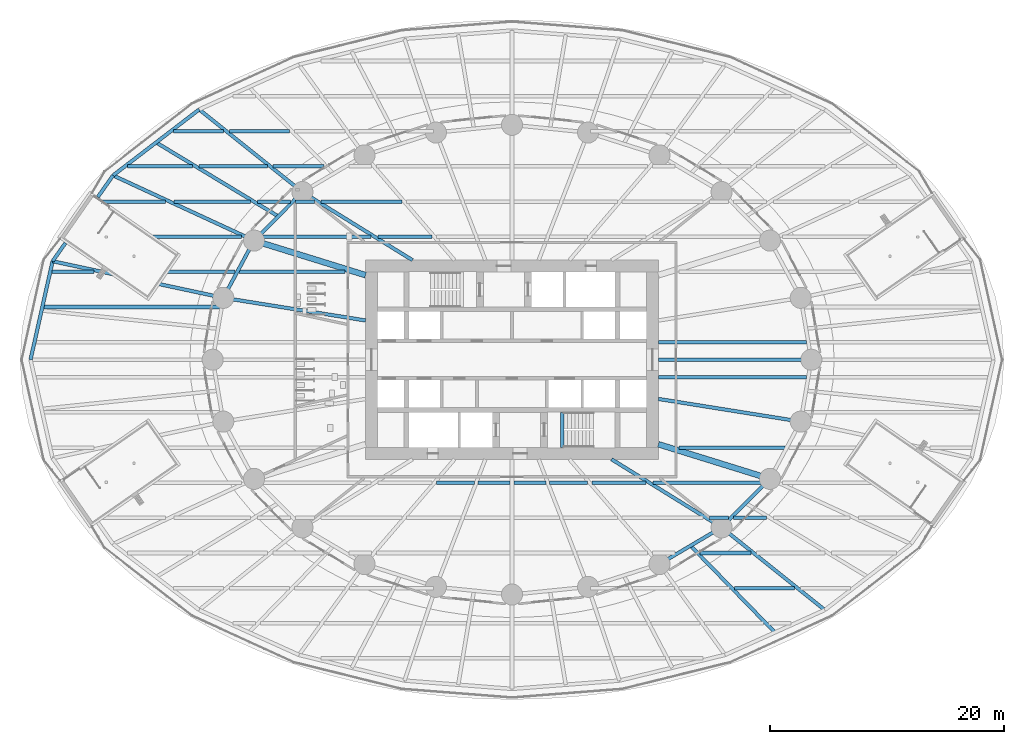
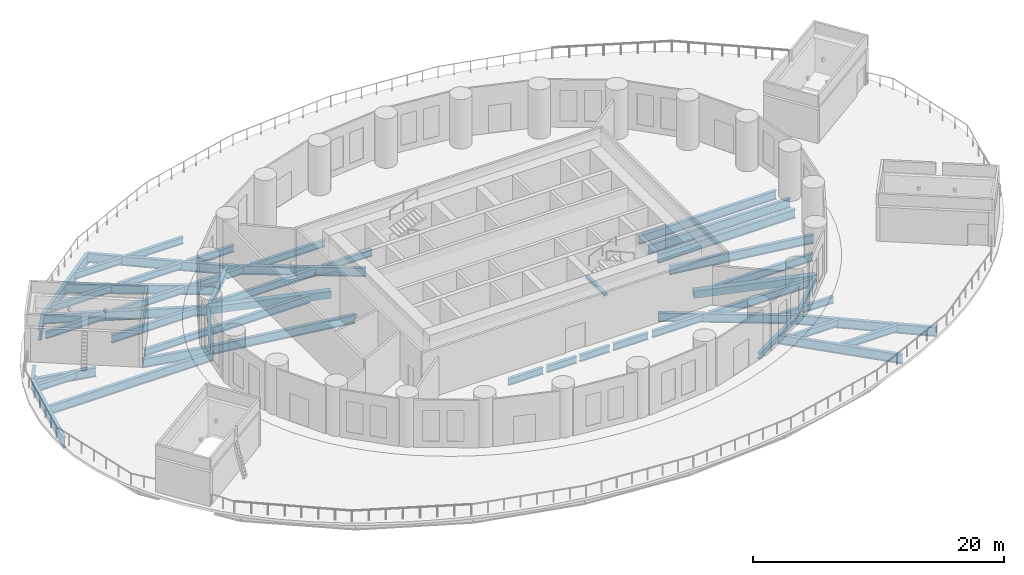
# One storey, part 3 of 17: 53 beams.
"""IFC4 building model written with IfcOpenShell, lengths in metres."""

from ifc_helpers import new_model, si_unit, direction, frame, origin, origin_2d, place, context, subcontext, project, spatial, rectangle, hollow_rectangle, i_section, extrude, material, material_profile, profile_set, type_object, element, save


model = new_model("IFC4")

# Units and contexts
model_context = context("Model", 3, precision=1e-05, world=origin(), true_north=direction((0.0, 1.0)))
body_context = subcontext(model_context, "Body", "Model", "MODEL_VIEW")
ifc_project = project(units=[si_unit("LENGTHUNIT", "METRE"), si_unit("AREAUNIT", "SQUARE_METRE"), si_unit("VOLUMEUNIT", "CUBIC_METRE"), si_unit("PLANEANGLEUNIT", "RADIAN"), si_unit("MASSUNIT", "GRAM", prefix="KILO")], contexts=[model_context])

# Site, building, storey
site_placement = place(None, origin())
site = spatial("IfcSite", under=ifc_project, at=site_placement, CompositionType="ELEMENT")
building_placement = place(site_placement, origin())
building = spatial("IfcBuilding", under=site, at=building_placement, Name="Hankou Lantern Tower", CompositionType="ELEMENT")
storey_placement = place(building_placement, frame((0.0, 0.0, 24.60009765625)))
storey = spatial("IfcBuildingStorey", under=building, at=storey_placement, Name="L04", CompositionType="ELEMENT", Elevation=24.60009765625)

# Beams
ifc_material_1 = material(Name="Steel Q355B", Category="steel")
ifc_material_profile_1 = material_profile(ifc_material_1, i_section(OverallWidth=0.300048828125, OverallDepth=0.587890625, WebThickness=0.011962890625, FlangeThickness=0.02001953125, FilletRadius=0.01806640625, at=origin_2d()), Name="HM588x300x12x20")
ifc_profile_set_1 = profile_set([ifc_material_profile_1], Name="Steel Q355B")
beam_type_1 = type_object("IfcBeamType", Name="EB16 RING BEAM HM588x300x12x20", PredefinedType="SPANDREL", material=ifc_profile_set_1)
beam_1_placement = place(storey_placement, frame((-17.891845703125, 14.3134765625, -0.544189453125), z_axis=(-0.705727798394, -0.708483079949, 0.0), x_axis=(0.708483079949, -0.705727798394, 0.0)))
element("IfcBeam", 1, at=beam_1_placement, inside=storey, type_object=beam_type_1, Name="Ring beam R10-R11 L04", PredefinedType="SPANDREL", context=body_context, shape_type="SweptSolid", body=[
    extrude(i_section(OverallWidth=0.300048828125, OverallDepth=0.587890625, WebThickness=0.011962890625, FlangeThickness=0.02001953125, FilletRadius=0.01806640625, at=origin_2d()), origin(), (0.0, 0.0, 1.0), 5.84814453125),
])
beam_2_placement = place(storey_placement, frame((-22.01904296875, 10.170166015625, -0.544189453125), z_axis=(-0.473609096023, -0.880735161194, 0.0), x_axis=(0.880735161194, -0.473609096023, 0.0)))
element("IfcBeam", 2, at=beam_2_placement, inside=storey, type_object=beam_type_1, Name="Ring beam R11-R12 L04", PredefinedType="SPANDREL", context=body_context, shape_type="SweptSolid", body=[
    extrude(i_section(OverallWidth=0.300048828125, OverallDepth=0.587890625, WebThickness=0.011962890625, FlangeThickness=0.02001953125, FilletRadius=0.01806640625, at=origin_2d()), origin(), (0.0, 0.0, 1.0), 5.548828125),
])
beam_3_placement = place(storey_placement, frame((12.5908203125, -17.446533203125, -0.544189453125), z_axis=(0.860881533543, 0.508805449268, 0.0), x_axis=(-0.508805449268, 0.860881533543, 0.0)))
element("IfcBeam", 3, at=beam_3_placement, inside=storey, type_object=beam_type_1, Name="Ring beam R21-R22 L04", PredefinedType="SPANDREL", context=body_context, shape_type="SweptSolid", body=[
    extrude(i_section(OverallWidth=0.300048828125, OverallDepth=0.587890625, WebThickness=0.011962890625, FlangeThickness=0.02001953125, FilletRadius=0.01806640625, at=origin_2d()), origin(), (0.0, 0.0, 1.0), 6.15771484375),
])
beam_4_placement = place(storey_placement, frame((17.891845703125, -14.3134765625, -0.544189453125), z_axis=(0.705727798394, 0.708483079949, 0.0), x_axis=(-0.708483079949, 0.705727798394, 0.0)))
element("IfcBeam", 4, at=beam_4_placement, inside=storey, type_object=beam_type_1, Name="Ring beam R22-R23 L04", PredefinedType="SPANDREL", context=body_context, shape_type="SweptSolid", body=[
    extrude(i_section(OverallWidth=0.300048828125, OverallDepth=0.587890625, WebThickness=0.011962890625, FlangeThickness=0.02001953125, FilletRadius=0.01806640625, at=origin_2d()), origin(), (0.0, 0.0, 1.0), 5.84814453125),
])
ifc_material_2 = material(Name="Concrete C40", Category="concrete")
ifc_material_profile_2 = material_profile(ifc_material_2, rectangle(XDim=0.300048828125, YDim=0.25, at=origin_2d()), Name="RC 300x250")
ifc_profile_set_2 = profile_set([ifc_material_profile_2], Name="Concrete C40")
beam_type_2 = type_object("IfcBeamType", Name="LB1 STAIR LANDING BEAM RC 300x250", PredefinedType="BEAM", material=ifc_profile_set_2)
beam_5_placement = place(storey_placement, frame((4.300048828125, -4.5, 2.27490234375), z_axis=(0.0, -1.0, 0.0), x_axis=(1.0, 0.0, 0.0)))
element("IfcBeam", 5, at=beam_5_placement, inside=storey, type_object=beam_type_2, Name="Stair STB landing beam L04", PredefinedType="BEAM", context=body_context, shape_type="SweptSolid", body=[
    extrude(rectangle(XDim=0.300048828125, YDim=0.25, at=origin_2d()), origin(), (0.0, 0.0, 1.0), 3.0),
])
ifc_material_3 = material(Name="Steel Q355B", Category="steel")
ifc_material_profile_3 = material_profile(ifc_material_3, i_section(OverallWidth=0.300048828125, OverallDepth=0.89990234375, WebThickness=0.01611328125, FlangeThickness=0.028076171875, FilletRadius=0.01806640625, at=origin_2d()), Name="HN900x300x16x28")
ifc_profile_set_3 = profile_set([ifc_material_profile_3], Name="Steel Q355B")
beam_type_3 = type_object("IfcBeamType", Name="PB13 PODIUM RADIAL BEAM HN900x300x16x28", PredefinedType="BEAM", material=ifc_profile_set_3)
beam_6_placement = place(storey_placement, frame((-17.891845703125, 14.3134765625, -0.7001953125), z_axis=(-0.780875142676, 0.624687130931, 0.0), x_axis=(-0.624687130931, -0.780875142676, 0.0)))
element("IfcBeam", 6, at=beam_6_placement, inside=storey, type_object=beam_type_3, Name="Podium radial beam R10 L04", PredefinedType="BEAM", context=body_context, shape_type="SweptSolid", body=[
    extrude(i_section(OverallWidth=0.300048828125, OverallDepth=0.89990234375, WebThickness=0.01611328125, FlangeThickness=0.028076171875, FilletRadius=0.01806640625, at=origin_2d()), origin(), (0.0, 0.0, 1.0), 11.28271484375),
])
beam_7_placement = place(storey_placement, frame((-22.01904296875, 10.170166015625, -0.7001953125), z_axis=(-0.907840792808, 0.419315030633, 0.0), x_axis=(-0.419315030633, -0.907840792808, 0.0)))
element("IfcBeam", 7, at=beam_7_placement, inside=storey, type_object=beam_type_3, Name="Podium radial beam R11 L04", PredefinedType="BEAM", context=body_context, shape_type="SweptSolid", body=[
    extrude(i_section(OverallWidth=0.300048828125, OverallDepth=0.89990234375, WebThickness=0.01611328125, FlangeThickness=0.028076171875, FilletRadius=0.01806640625, at=origin_2d()), origin(), (0.0, 0.0, 1.0), 13.259765625),
])
beam_8_placement = place(storey_placement, frame((-24.64697265625, 5.283203125, -0.7001953125), z_axis=(-0.977787338777, 0.209599427782, 0.0), x_axis=(-0.209599427782, -0.977787338777, 0.0)))
element("IfcBeam", 8, at=beam_8_placement, inside=storey, type_object=beam_type_3, Name="Podium radial beam R12 L04 inner part", PredefinedType="BEAM", context=body_context, shape_type="SweptSolid", body=[
    extrude(i_section(OverallWidth=0.300048828125, OverallDepth=0.89990234375, WebThickness=0.01611328125, FlangeThickness=0.028076171875, FilletRadius=0.01806640625, at=origin_2d()), origin(), (0.0, 0.0, 1.0), 5.68896484375),
])
beam_9_placement = place(storey_placement, frame((-34.01025390625, 7.29052734375, -0.7001953125), z_axis=(-0.977788323488, 0.209594834028, 0.0), x_axis=(-0.209594834028, -0.977788323488, 0.0)))
element("IfcBeam", 9, at=beam_9_placement, inside=storey, type_object=beam_type_3, Name="Podium radial beam R12 L04 outer part", PredefinedType="BEAM", context=body_context, shape_type="SweptSolid", body=[
    extrude(i_section(OverallWidth=0.300048828125, OverallDepth=0.89990234375, WebThickness=0.01611328125, FlangeThickness=0.028076171875, FilletRadius=0.01806640625, at=origin_2d()), origin(), (0.0, 0.0, 1.0), 5.32568359375),
])
beam_10_placement = place(storey_placement, frame((17.891845703125, -14.3134765625, -0.7001953125), z_axis=(0.780875142676, -0.624687130931, 0.0), x_axis=(0.624687130931, 0.780875142676, 0.0)))
element("IfcBeam", 10, at=beam_10_placement, inside=storey, type_object=beam_type_3, Name="Podium radial beam R22 L04", PredefinedType="BEAM", context=body_context, shape_type="SweptSolid", body=[
    extrude(i_section(OverallWidth=0.300048828125, OverallDepth=0.89990234375, WebThickness=0.01611328125, FlangeThickness=0.028076171875, FilletRadius=0.01806640625, at=origin_2d()), origin(), (0.0, 0.0, 1.0), 11.28271484375),
])
ifc_material_4 = material(Name="Steel Q355B", Category="steel")
ifc_material_profile_4 = material_profile(ifc_material_4, i_section(OverallWidth=0.300048828125, OverallDepth=1.0, WebThickness=0.01904296875, FlangeThickness=0.035888671875, FilletRadius=0.01806640625, at=origin_2d()), Name="HN1000x300x19x36")
ifc_profile_set_4 = profile_set([ifc_material_profile_4], Name="Steel Q355B")
beam_type_4 = type_object("IfcBeamType", Name="PR22 PODIUM RING BEAM HN1000x300x19x36", PredefinedType="BEAM", material=ifc_profile_set_4)
beam_11_placement = place(storey_placement, frame((-26.7021484375, 21.361572265625, -0.75), z_axis=(-0.793985875103, -0.607936205647, 0.0), x_axis=(0.607936205647, -0.793985875103, 0.0)))
element("IfcBeam", 11, at=beam_11_placement, inside=storey, type_object=beam_type_4, Name="Podium ring beam R10-R11 L04", PredefinedType="BEAM", context=body_context, shape_type="SweptSolid", body=[
    extrude(i_section(OverallWidth=0.300048828125, OverallDepth=1.0, WebThickness=0.01904296875, FlangeThickness=0.035888671875, FilletRadius=0.01806640625, at=origin_2d()), origin(), (0.0, 0.0, 1.0), 9.262939453125),
])
beam_12_placement = place(storey_placement, frame((-34.056884765625, 15.730224609375, -0.75), z_axis=(-0.576006222853, -0.817445307794, 0.0), x_axis=(0.817445307794, -0.576006222853, 0.0)))
element("IfcBeam", 12, at=beam_12_placement, inside=storey, type_object=beam_type_4, Name="Podium ring beam R11-R12 L04 west part", PredefinedType="BEAM", context=body_context, shape_type="SweptSolid", body=[
    extrude(i_section(OverallWidth=0.300048828125, OverallDepth=1.0, WebThickness=0.01904296875, FlangeThickness=0.035888671875, FilletRadius=0.01806640625, at=origin_2d()), origin(), (0.0, 0.0, 1.0), 2.251953125),
])
beam_13_placement = place(storey_placement, frame((-38.118896484375, 9.9658203125, -0.75), z_axis=(-0.576019631526, -0.817435859317, 0.0), x_axis=(0.817435859317, -0.576019631526, 0.0)))
element("IfcBeam", 13, at=beam_13_placement, inside=storey, type_object=beam_type_4, Name="Podium ring beam R11-R12 L04 east part", PredefinedType="BEAM", context=body_context, shape_type="SweptSolid", body=[
    extrude(i_section(OverallWidth=0.300048828125, OverallDepth=1.0, WebThickness=0.01904296875, FlangeThickness=0.035888671875, FilletRadius=0.01806640625, at=origin_2d()), origin(), (0.0, 0.0, 1.0), 1.9072265625),
])
beam_14_placement = place(storey_placement, frame((-39.217529296875, 8.40673828125, -0.75), z_axis=(-0.218523498172, -0.975831686689, 0.0), x_axis=(0.975831686689, -0.218523498172, 0.0)))
element("IfcBeam", 14, at=beam_14_placement, inside=storey, type_object=beam_type_4, Name="Podium ring beam R12-R13 L04", PredefinedType="BEAM", context=body_context, shape_type="SweptSolid", body=[
    extrude(i_section(OverallWidth=0.300048828125, OverallDepth=1.0, WebThickness=0.01904296875, FlangeThickness=0.035888671875, FilletRadius=0.01806640625, at=origin_2d()), origin(), (0.0, 0.0, 1.0), 8.614990234375),
])
ifc_material_5 = material(Name="Steel Q355B", Category="steel")
ifc_material_profile_5 = material_profile(ifc_material_5, i_section(OverallWidth=0.300048828125, OverallDepth=0.89990234375, WebThickness=0.01611328125, FlangeThickness=0.028076171875, FilletRadius=0.01806640625, at=origin_2d()), Name="HN900x300x16x28")
ifc_profile_set_5 = profile_set([ifc_material_profile_5], Name="Steel Q355B")
beam_type_5 = type_object("IfcBeamType", Name="PS13 PODIUM SECONDARY BEAM HN900x300x16x28", PredefinedType="JOIST", material=ifc_profile_set_5)
beam_15_placement = place(storey_placement, frame((-19.955322265625, 12.24169921875, -0.7001953125), z_axis=(-0.855685755165, 0.517495785884, 0.0), x_axis=(-0.517495785884, -0.855685755165, 0.0)))
element("IfcBeam", 15, at=beam_15_placement, inside=storey, type_object=beam_type_5, Name="Podium secondary beam bay R10 L04", PredefinedType="JOIST", context=body_context, shape_type="SweptSolid", body=[
    extrude(i_section(OverallWidth=0.300048828125, OverallDepth=0.89990234375, WebThickness=0.01611328125, FlangeThickness=0.028076171875, FilletRadius=0.01806640625, at=origin_2d()), origin(), (0.0, 0.0, 1.0), 12.18212890625),
])
beam_16_placement = place(storey_placement, frame((15.2412109375, -15.8798828125, -0.7001953125), z_axis=(0.697467529957, -0.716616385981, 0.0), x_axis=(0.716616385981, 0.697467529957, 0.0)))
element("IfcBeam", 16, at=beam_16_placement, inside=storey, type_object=beam_type_5, Name="Podium secondary beam bay R21 L04", PredefinedType="JOIST", context=body_context, shape_type="SweptSolid", body=[
    extrude(i_section(OverallWidth=0.300048828125, OverallDepth=0.89990234375, WebThickness=0.01611328125, FlangeThickness=0.028076171875, FilletRadius=0.01806640625, at=origin_2d()), origin(), (0.0, 0.0, 1.0), 10.3271484375),
])
ifc_material_6 = material(Name="Steel Q355B", Category="steel")
ifc_material_profile_6 = material_profile(ifc_material_6, i_section(OverallWidth=0.300048828125, OverallDepth=0.85009765625, WebThickness=0.01611328125, FlangeThickness=0.027099609375, FilletRadius=0.01806640625, at=origin_2d()), Name="HN850x300x16x27")
ifc_profile_set_6 = profile_set([ifc_material_profile_6], Name="Steel Q355B")
beam_type_6 = type_object("IfcBeamType", Name="RB12 RADIAL BEAM HN850x300x16x27", PredefinedType="BEAM", material=ifc_profile_set_6)
beam_17_placement = place(storey_placement, frame((-8.5, 8.5, -0.675048828125), z_axis=(-0.850286343288, 0.526320372414, 0.0), x_axis=(-0.526320372414, -0.850286343288, 0.0)))
element("IfcBeam", 17, at=beam_17_placement, inside=storey, type_object=beam_type_6, Name="Radial beam R10 L04", PredefinedType="BEAM", context=body_context, shape_type="SweptSolid", body=[
    extrude(i_section(OverallWidth=0.300048828125, OverallDepth=0.85009765625, WebThickness=0.01611328125, FlangeThickness=0.027099609375, FilletRadius=0.01806640625, at=origin_2d()), origin(), (0.0, 0.0, 1.0), 11.04541015625),
])
beam_18_placement = place(storey_placement, frame((-12.5, 3.349365234375, -0.675048828125), z_axis=(-0.987563081343, 0.157223281893, 0.0), x_axis=(-0.157223281893, -0.987563081343, 0.0)))
element("IfcBeam", 18, at=beam_18_placement, inside=storey, type_object=beam_type_6, Name="Radial beam R12 L04", PredefinedType="BEAM", context=body_context, shape_type="SweptSolid", body=[
    extrude(i_section(OverallWidth=0.300048828125, OverallDepth=0.85009765625, WebThickness=0.01611328125, FlangeThickness=0.027099609375, FilletRadius=0.01806640625, at=origin_2d()), origin(), (0.0, 0.0, 1.0), 12.300048828125),
])
beam_19_placement = place(storey_placement, frame((8.5, -8.5, -0.675048828125), z_axis=(0.850286343288, -0.526320372414, 0.0), x_axis=(0.526320372414, 0.850286343288, 0.0)))
element("IfcBeam", 19, at=beam_19_placement, inside=storey, type_object=beam_type_6, Name="Radial beam R22 L04", PredefinedType="BEAM", context=body_context, shape_type="SweptSolid", body=[
    extrude(i_section(OverallWidth=0.300048828125, OverallDepth=0.85009765625, WebThickness=0.01611328125, FlangeThickness=0.027099609375, FilletRadius=0.01806640625, at=origin_2d()), origin(), (0.0, 0.0, 1.0), 11.04541015625),
])
beam_20_placement = place(storey_placement, frame((12.5, -3.349365234375, -0.675048828125), z_axis=(0.987563081343, -0.157223281893, 0.0), x_axis=(0.157223281893, 0.987563081343, 0.0)))
element("IfcBeam", 20, at=beam_20_placement, inside=storey, type_object=beam_type_6, Name="Radial beam R24 L04", PredefinedType="BEAM", context=body_context, shape_type="SweptSolid", body=[
    extrude(i_section(OverallWidth=0.300048828125, OverallDepth=0.85009765625, WebThickness=0.01611328125, FlangeThickness=0.027099609375, FilletRadius=0.01806640625, at=origin_2d()), origin(), (0.0, 0.0, 1.0), 12.300048828125),
])
ifc_material_7 = material(Name="Steel Q355B", Category="steel")
ifc_material_profile_7 = material_profile(ifc_material_7, i_section(OverallWidth=0.300048828125, OverallDepth=0.89990234375, WebThickness=0.01611328125, FlangeThickness=0.028076171875, FilletRadius=0.01806640625, at=origin_2d()), Name="HN900x300x16x28")
ifc_profile_set_7 = profile_set([ifc_material_profile_7], Name="Steel Q355B")
beam_type_7 = type_object("IfcBeamType", Name="RB13 RADIAL BEAM HN900x300x16x28", PredefinedType="BEAM", material=ifc_profile_set_7)
beam_21_placement = place(storey_placement, frame((12.5, 0.0, -0.7001953125), z_axis=(1.0, 0.0, 0.0), x_axis=(0.0, 1.0, 0.0)))
element("IfcBeam", 21, at=beam_21_placement, inside=storey, type_object=beam_type_7, Name="Radial beam R01 L04", PredefinedType="BEAM", context=body_context, shape_type="SweptSolid", body=[
    extrude(i_section(OverallWidth=0.300048828125, OverallDepth=0.89990234375, WebThickness=0.01611328125, FlangeThickness=0.028076171875, FilletRadius=0.01806640625, at=origin_2d()), origin(), (0.0, 0.0, 1.0), 13.050048828125),
])
ifc_material_8 = material(Name="Steel Q355B", Category="steel")
ifc_material_profile_8 = material_profile(ifc_material_8, hollow_rectangle(XDim=0.5, YDim=0.699951171875, WallThickness=0.0400390625, at=origin_2d()), Name="BOX700x500x40")
ifc_profile_set_8 = profile_set([ifc_material_profile_8], Name="Steel Q355B")
beam_type_8 = type_object("IfcBeamType", Name="RB25 RADIAL BEAM BOX700x500x40", PredefinedType="BEAM", material=ifc_profile_set_8)
for number, where, z_axis, x_axis, name in (
    (22, (-12.5, 7.216796875, -0.60009765625), (-0.955087327755, 0.29632447817, 0.0), (-0.29632447817, -0.955087327755, 0.0), "Radial beam R11 L04"),
    (23, (12.5, -7.216796875, -0.60009765625), (0.955087327755, -0.29632447817, 0.0), (0.29632447817, 0.955087327755, 0.0), "Radial beam R23 L04"),
):
    element("IfcBeam", number, at=place(storey_placement, frame(where, z_axis=z_axis, x_axis=x_axis)), inside=storey, type_object=beam_type_8, Name=name, PredefinedType="BEAM", context=body_context, shape_type="SweptSolid", body=[
        extrude(hollow_rectangle(XDim=0.5, YDim=0.699951171875, WallThickness=0.0400390625, at=origin_2d()), origin(), (0.0, 0.0, 1.0), 9.966552734375),
    ])
ifc_material_9 = material(Name="Steel Q355B", Category="steel")
ifc_material_profile_9 = material_profile(ifc_material_9, i_section(OverallWidth=0.300048828125, OverallDepth=0.75, WebThickness=0.012939453125, FlangeThickness=0.02392578125, FilletRadius=0.01806640625, at=origin_2d()), Name="HN750x300x13x24")
ifc_profile_set_9 = profile_set([ifc_material_profile_9], Name="Steel Q355B")
beam_type_9 = type_object("IfcBeamType", Name="SB10 SECONDARY BEAM HN750x300x13x24", PredefinedType="JOIST", material=ifc_profile_set_9)
beam_22_placement = place(storey_placement, frame((12.01611328125, -10.5, -0.625), z_axis=(1.0, 0.0, 0.0), x_axis=(0.0, 1.0, 0.0)))
element("IfcBeam", 24, at=beam_22_placement, inside=storey, type_object=beam_type_9, Name="Floor joist J022 L04", PredefinedType="JOIST", context=body_context, shape_type="SweptSolid", body=[
    extrude(i_section(OverallWidth=0.300048828125, OverallDepth=0.75, WebThickness=0.012939453125, FlangeThickness=0.02392578125, FilletRadius=0.01806640625, at=origin_2d()), origin(), (0.0, 0.0, 1.0), 9.462646484375),
])
for number, where, z_axis, x_axis, name in (
    (25, (14.25634765625, -7.5, -0.625), (1.0, 0.0, 0.0), (0.0, 1.0, 0.0), "Floor joist J024 L04"),
    (26, (-23.28466796875, 7.5, -0.625), (1.0, 0.0, 0.0), (0.0, 1.0, 0.0), "Floor joist J037 L04"),
):
    element("IfcBeam", number, at=place(storey_placement, frame(where, z_axis=z_axis, x_axis=x_axis)), inside=storey, type_object=beam_type_9, Name=name, PredefinedType="JOIST", context=body_context, shape_type="SweptSolid", body=[
        extrude(i_section(OverallWidth=0.300048828125, OverallDepth=0.75, WebThickness=0.012939453125, FlangeThickness=0.02392578125, FilletRadius=0.01806640625, at=origin_2d()), origin(), (0.0, 0.0, 1.0), 9.0283203125),
    ])
beam_23_placement = place(storey_placement, frame((-21.478759765625, 10.5, -0.625), z_axis=(1.0, 0.0, 0.0), x_axis=(0.0, 1.0, 0.0)))
element("IfcBeam", 27, at=beam_23_placement, inside=storey, type_object=beam_type_9, Name="Floor joist J039 L04", PredefinedType="JOIST", context=body_context, shape_type="SweptSolid", body=[
    extrude(i_section(OverallWidth=0.300048828125, OverallDepth=0.75, WebThickness=0.012939453125, FlangeThickness=0.02392578125, FilletRadius=0.01806640625, at=origin_2d()), origin(), (0.0, 0.0, 1.0), 9.462646484375),
])
beam_24_placement = place(storey_placement, frame((-30.743896484375, 10.5, -0.625), z_axis=(1.0, 0.0, 0.0), x_axis=(0.0, 1.0, 0.0)))
element("IfcBeam", 28, at=beam_24_placement, inside=storey, type_object=beam_type_9, Name="Floor joist JT061 L04", PredefinedType="JOIST", context=body_context, shape_type="SweptSolid", body=[
    extrude(i_section(OverallWidth=0.300048828125, OverallDepth=0.75, WebThickness=0.012939453125, FlangeThickness=0.02392578125, FilletRadius=0.01806640625, at=origin_2d()), origin(), (0.0, 0.0, 1.0), 7.653076171875),
])
ifc_material_10 = material(Name="Steel Q355B", Category="steel")
ifc_material_profile_10 = material_profile(ifc_material_10, i_section(OverallWidth=0.300048828125, OverallDepth=0.85009765625, WebThickness=0.01611328125, FlangeThickness=0.027099609375, FilletRadius=0.01806640625, at=origin_2d()), Name="HN850x300x16x27")
ifc_profile_set_10 = profile_set([ifc_material_profile_10], Name="Steel Q355B")
beam_type_10 = type_object("IfcBeamType", Name="SB12 SECONDARY BEAM HN850x300x16x27", PredefinedType="JOIST", material=ifc_profile_set_10)
for number, where, z_axis, x_axis, name in (
    (29, (12.5, -1.5, -0.675048828125), (1.0, 0.0, 0.0), (0.0, 1.0, 0.0), "Floor joist J030 L04"),
    (30, (12.5, 1.5, -0.675048828125), (1.0, 0.0, 0.0), (0.0, 1.0, 0.0), "Floor joist J032 L04"),
):
    element("IfcBeam", number, at=place(storey_placement, frame(where, z_axis=z_axis, x_axis=x_axis)), inside=storey, type_object=beam_type_10, Name=name, PredefinedType="JOIST", context=body_context, shape_type="SweptSolid", body=[
        extrude(i_section(OverallWidth=0.300048828125, OverallDepth=0.85009765625, WebThickness=0.01611328125, FlangeThickness=0.027099609375, FilletRadius=0.01806640625, at=origin_2d()), origin(), (0.0, 0.0, 1.0), 12.641357421875),
    ])
beam_25_placement = place(storey_placement, frame((-39.938720703125, 4.5, -0.675048828125), z_axis=(1.0, 0.0, 0.0), x_axis=(0.0, 1.0, 0.0)))
element("IfcBeam", 31, at=beam_25_placement, inside=storey, type_object=beam_type_10, Name="Floor joist JT055 L04", PredefinedType="JOIST", context=body_context, shape_type="SweptSolid", body=[
    extrude(i_section(OverallWidth=0.300048828125, OverallDepth=0.85009765625, WebThickness=0.01611328125, FlangeThickness=0.027099609375, FilletRadius=0.01806640625, at=origin_2d()), origin(), (0.0, 0.0, 1.0), 15.005615234375),
])
ifc_material_11 = material(Name="Steel Q355B", Category="steel")
ifc_material_profile_11 = material_profile(ifc_material_11, i_section(OverallWidth=0.300048828125, OverallDepth=0.64990234375, WebThickness=0.010986328125, FlangeThickness=0.01708984375, FilletRadius=0.01806640625, at=origin_2d()), Name="HN650x300x11x17")
ifc_profile_set_11 = profile_set([ifc_material_profile_11], Name="Steel Q355B")
beam_type_11 = type_object("IfcBeamType", Name="SB8 SECONDARY BEAM HN650x300x11x17", PredefinedType="JOIST", material=ifc_profile_set_11)
beam_26_placement = place(storey_placement, frame((16.86279296875, -13.5, -0.5751953125), z_axis=(1.0, 0.0, 0.0), x_axis=(0.0, 1.0, 0.0)))
element("IfcBeam", 32, at=beam_26_placement, inside=storey, type_object=beam_type_11, Name="Floor joist J014 L04", PredefinedType="JOIST", context=body_context, shape_type="SweptSolid", body=[
    extrude(i_section(OverallWidth=0.300048828125, OverallDepth=0.64990234375, WebThickness=0.010986328125, FlangeThickness=0.01708984375, FilletRadius=0.01806640625, at=origin_2d()), origin(), (0.0, 0.0, 1.0), 1.62744140625),
])
beam_27_placement = place(storey_placement, frame((-6.427490234375, -10.5, -0.5751953125), z_axis=(1.0, 0.0, 0.0), x_axis=(0.0, 1.0, 0.0)))
element("IfcBeam", 33, at=beam_27_placement, inside=storey, type_object=beam_type_11, Name="Floor joist J017 L04", PredefinedType="JOIST", context=body_context, shape_type="SweptSolid", body=[
    extrude(i_section(OverallWidth=0.300048828125, OverallDepth=0.64990234375, WebThickness=0.010986328125, FlangeThickness=0.01708984375, FilletRadius=0.01806640625, at=origin_2d()), origin(), (0.0, 0.0, 1.0), 3.214599609375),
])
for number, where, z_axis, x_axis, name in (
    (34, (-2.89111328125, -10.5, -0.5751953125), (1.0, 0.0, 0.0), (0.0, 1.0, 0.0), "Floor joist J018 L04"),
    (35, (0.14990234375, -10.5, -0.5751953125), (1.0, 0.0, 0.0), (0.0, 1.0, 0.0), "Floor joist J019 L04"),
):
    element("IfcBeam", number, at=place(storey_placement, frame(where, z_axis=z_axis, x_axis=x_axis)), inside=storey, type_object=beam_type_11, Name=name, PredefinedType="JOIST", context=body_context, shape_type="SweptSolid", body=[
        extrude(i_section(OverallWidth=0.300048828125, OverallDepth=0.64990234375, WebThickness=0.010986328125, FlangeThickness=0.01708984375, FilletRadius=0.01806640625, at=origin_2d()), origin(), (0.0, 0.0, 1.0), 2.7412109375),
    ])
beam_28_placement = place(storey_placement, frame((3.212890625, -10.5, -0.5751953125), z_axis=(1.0, 0.0, 0.0), x_axis=(0.0, 1.0, 0.0)))
element("IfcBeam", 36, at=beam_28_placement, inside=storey, type_object=beam_type_11, Name="Floor joist J020 L04", PredefinedType="JOIST", context=body_context, shape_type="SweptSolid", body=[
    extrude(i_section(OverallWidth=0.300048828125, OverallDepth=0.64990234375, WebThickness=0.010986328125, FlangeThickness=0.01708984375, FilletRadius=0.01806640625, at=origin_2d()), origin(), (0.0, 0.0, 1.0), 3.214599609375),
])
for number, where, z_axis, x_axis, name in (
    (37, (6.82275390625, -10.5, -0.5751953125), (1.0, 0.0, 0.0), (0.0, 1.0, 0.0), "Floor joist J021 L04"),
    (38, (-11.446044921875, 10.5, -0.5751953125), (1.0, 0.0, 0.0), (0.0, 1.0, 0.0), "Floor joist J040 L04"),
):
    element("IfcBeam", number, at=place(storey_placement, frame(where, z_axis=z_axis, x_axis=x_axis)), inside=storey, type_object=beam_type_11, Name=name, PredefinedType="JOIST", context=body_context, shape_type="SweptSolid", body=[
        extrude(i_section(OverallWidth=0.300048828125, OverallDepth=0.64990234375, WebThickness=0.010986328125, FlangeThickness=0.01708984375, FilletRadius=0.01806640625, at=origin_2d()), origin(), (0.0, 0.0, 1.0), 4.623291015625),
    ])
beam_29_placement = place(storey_placement, frame((-18.490234375, 13.5, -0.5751953125), z_axis=(1.0, 0.0, 0.0), x_axis=(0.0, 1.0, 0.0)))
element("IfcBeam", 39, at=beam_29_placement, inside=storey, type_object=beam_type_11, Name="Floor joist J047 L04", PredefinedType="JOIST", context=body_context, shape_type="SweptSolid", body=[
    extrude(i_section(OverallWidth=0.300048828125, OverallDepth=0.64990234375, WebThickness=0.010986328125, FlangeThickness=0.01708984375, FilletRadius=0.01806640625, at=origin_2d()), origin(), (0.0, 0.0, 1.0), 1.62744140625),
])
beam_30_placement = place(storey_placement, frame((-16.292724609375, 13.5, -0.5751953125), z_axis=(1.0, 0.0, 0.0), x_axis=(0.0, 1.0, 0.0)))
element("IfcBeam", 40, at=beam_30_placement, inside=storey, type_object=beam_type_11, Name="Floor joist J048 L04", PredefinedType="JOIST", context=body_context, shape_type="SweptSolid", body=[
    extrude(i_section(OverallWidth=0.300048828125, OverallDepth=0.64990234375, WebThickness=0.010986328125, FlangeThickness=0.01708984375, FilletRadius=0.01806640625, at=origin_2d()), origin(), (0.0, 0.0, 1.0), 6.893310546875),
])
beam_31_placement = place(storey_placement, frame((18.973876953125, -19.5, -0.5751953125), z_axis=(1.0, 0.0, 0.0), x_axis=(0.0, 1.0, 0.0)))
element("IfcBeam", 41, at=beam_31_placement, inside=storey, type_object=beam_type_11, Name="Floor joist JT029 L04", PredefinedType="JOIST", context=body_context, shape_type="SweptSolid", body=[
    extrude(i_section(OverallWidth=0.300048828125, OverallDepth=0.64990234375, WebThickness=0.010986328125, FlangeThickness=0.01708984375, FilletRadius=0.01806640625, at=origin_2d()), origin(), (0.0, 0.0, 1.0), 5.160888671875),
])
beam_32_placement = place(storey_placement, frame((16.05419921875, -16.5, -0.5751953125), z_axis=(1.0, 0.0, 0.0), x_axis=(0.0, 1.0, 0.0)))
element("IfcBeam", 42, at=beam_32_placement, inside=storey, type_object=beam_type_11, Name="Floor joist JT034 L04", PredefinedType="JOIST", context=body_context, shape_type="SweptSolid", body=[
    extrude(i_section(OverallWidth=0.300048828125, OverallDepth=0.64990234375, WebThickness=0.010986328125, FlangeThickness=0.01708984375, FilletRadius=0.01806640625, at=origin_2d()), origin(), (0.0, 0.0, 1.0), 4.33056640625),
])
beam_33_placement = place(storey_placement, frame((18.913818359375, -13.5, -0.5751953125), z_axis=(1.0, 0.0, 0.0), x_axis=(0.0, 1.0, 0.0)))
element("IfcBeam", 43, at=beam_33_placement, inside=storey, type_object=beam_type_11, Name="Floor joist JT040 L04", PredefinedType="JOIST", context=body_context, shape_type="SweptSolid", body=[
    extrude(i_section(OverallWidth=0.300048828125, OverallDepth=0.64990234375, WebThickness=0.010986328125, FlangeThickness=0.01708984375, FilletRadius=0.01806640625, at=origin_2d()), origin(), (0.0, 0.0, 1.0), 2.832275390625),
])
beam_34_placement = place(storey_placement, frame((-39.266845703125, 7.5, -0.5751953125), z_axis=(1.0, 0.0, 0.0), x_axis=(0.0, 1.0, 0.0)))
element("IfcBeam", 44, at=beam_34_placement, inside=storey, type_object=beam_type_11, Name="Floor joist JT057 L04", PredefinedType="JOIST", context=body_context, shape_type="SweptSolid", body=[
    extrude(i_section(OverallWidth=0.300048828125, OverallDepth=0.64990234375, WebThickness=0.010986328125, FlangeThickness=0.01708984375, FilletRadius=0.01806640625, at=origin_2d()), origin(), (0.0, 0.0, 1.0), 3.563232421875),
])
beam_35_placement = place(storey_placement, frame((-29.496826171875, 7.5, -0.5751953125), z_axis=(1.0, 0.0, 0.0), x_axis=(0.0, 1.0, 0.0)))
element("IfcBeam", 45, at=beam_35_placement, inside=storey, type_object=beam_type_11, Name="Floor joist JT058 L04", PredefinedType="JOIST", context=body_context, shape_type="SweptSolid", body=[
    extrude(i_section(OverallWidth=0.300048828125, OverallDepth=0.64990234375, WebThickness=0.010986328125, FlangeThickness=0.01708984375, FilletRadius=0.01806640625, at=origin_2d()), origin(), (0.0, 0.0, 1.0), 5.87158203125),
])
beam_36_placement = place(storey_placement, frame((-35.056884765625, 13.5, -0.5751953125), z_axis=(1.0, 0.0, 0.0), x_axis=(0.0, 1.0, 0.0)))
element("IfcBeam", 46, at=beam_36_placement, inside=storey, type_object=beam_type_11, Name="Floor joist JT063 L04", PredefinedType="JOIST", context=body_context, shape_type="SweptSolid", body=[
    extrude(i_section(OverallWidth=0.300048828125, OverallDepth=0.64990234375, WebThickness=0.010986328125, FlangeThickness=0.01708984375, FilletRadius=0.01806640625, at=origin_2d()), origin(), (0.0, 0.0, 1.0), 5.470703125),
])
beam_37_placement = place(storey_placement, frame((-28.87060546875, 13.5, -0.5751953125), z_axis=(1.0, 0.0, 0.0), x_axis=(0.0, 1.0, 0.0)))
element("IfcBeam", 47, at=beam_37_placement, inside=storey, type_object=beam_type_11, Name="Floor joist JT064 L04", PredefinedType="JOIST", context=body_context, shape_type="SweptSolid", body=[
    extrude(i_section(OverallWidth=0.300048828125, OverallDepth=0.64990234375, WebThickness=0.010986328125, FlangeThickness=0.01708984375, FilletRadius=0.01806640625, at=origin_2d()), origin(), (0.0, 0.0, 1.0), 6.544921875),
])
beam_38_placement = place(storey_placement, frame((-21.74609375, 13.5, -0.5751953125), z_axis=(1.0, 0.0, 0.0), x_axis=(0.0, 1.0, 0.0)))
element("IfcBeam", 48, at=beam_38_placement, inside=storey, type_object=beam_type_11, Name="Floor joist JT065 L04", PredefinedType="JOIST", context=body_context, shape_type="SweptSolid", body=[
    extrude(i_section(OverallWidth=0.300048828125, OverallDepth=0.64990234375, WebThickness=0.010986328125, FlangeThickness=0.01708984375, FilletRadius=0.01806640625, at=origin_2d()), origin(), (0.0, 0.0, 1.0), 2.832275390625),
])
beam_39_placement = place(storey_placement, frame((-32.8046875, 16.5, -0.5751953125), z_axis=(1.0, 0.0, 0.0), x_axis=(0.0, 1.0, 0.0)))
element("IfcBeam", 49, at=beam_39_placement, inside=storey, type_object=beam_type_11, Name="Floor joist JT069 L04", PredefinedType="JOIST", context=body_context, shape_type="SweptSolid", body=[
    extrude(i_section(OverallWidth=0.300048828125, OverallDepth=0.64990234375, WebThickness=0.010986328125, FlangeThickness=0.01708984375, FilletRadius=0.01806640625, at=origin_2d()), origin(), (0.0, 0.0, 1.0), 5.518310546875),
])
beam_40_placement = place(storey_placement, frame((-26.70654296875, 16.5, -0.5751953125), z_axis=(1.0, 0.0, 0.0), x_axis=(0.0, 1.0, 0.0)))
element("IfcBeam", 50, at=beam_40_placement, inside=storey, type_object=beam_type_11, Name="Floor joist JT070 L04", PredefinedType="JOIST", context=body_context, shape_type="SweptSolid", body=[
    extrude(i_section(OverallWidth=0.300048828125, OverallDepth=0.64990234375, WebThickness=0.010986328125, FlangeThickness=0.01708984375, FilletRadius=0.01806640625, at=origin_2d()), origin(), (0.0, 0.0, 1.0), 5.84130859375),
])
beam_41_placement = place(storey_placement, frame((-20.384765625, 16.5, -0.5751953125), z_axis=(1.0, 0.0, 0.0), x_axis=(0.0, 1.0, 0.0)))
element("IfcBeam", 51, at=beam_41_placement, inside=storey, type_object=beam_type_11, Name="Floor joist JT071 L04", PredefinedType="JOIST", context=body_context, shape_type="SweptSolid", body=[
    extrude(i_section(OverallWidth=0.300048828125, OverallDepth=0.64990234375, WebThickness=0.010986328125, FlangeThickness=0.01708984375, FilletRadius=0.01806640625, at=origin_2d()), origin(), (0.0, 0.0, 1.0), 4.33056640625),
])
beam_42_placement = place(storey_placement, frame((-28.88671875, 19.5, -0.5751953125), z_axis=(1.0, 0.0, 0.0), x_axis=(0.0, 1.0, 0.0)))
element("IfcBeam", 52, at=beam_42_placement, inside=storey, type_object=beam_type_11, Name="Floor joist JT075 L04", PredefinedType="JOIST", context=body_context, shape_type="SweptSolid", body=[
    extrude(i_section(OverallWidth=0.300048828125, OverallDepth=0.64990234375, WebThickness=0.010986328125, FlangeThickness=0.01708984375, FilletRadius=0.01806640625, at=origin_2d()), origin(), (0.0, 0.0, 1.0), 4.271484375),
])
beam_43_placement = place(storey_placement, frame((-24.134765625, 19.5, -0.5751953125), z_axis=(1.0, 0.0, 0.0), x_axis=(0.0, 1.0, 0.0)))
element("IfcBeam", 53, at=beam_43_placement, inside=storey, type_object=beam_type_11, Name="Floor joist JT076 L04", PredefinedType="JOIST", context=body_context, shape_type="SweptSolid", body=[
    extrude(i_section(OverallWidth=0.300048828125, OverallDepth=0.64990234375, WebThickness=0.010986328125, FlangeThickness=0.01708984375, FilletRadius=0.01806640625, at=origin_2d()), origin(), (0.0, 0.0, 1.0), 5.160888671875),
])

save(model, "model.ifc")
